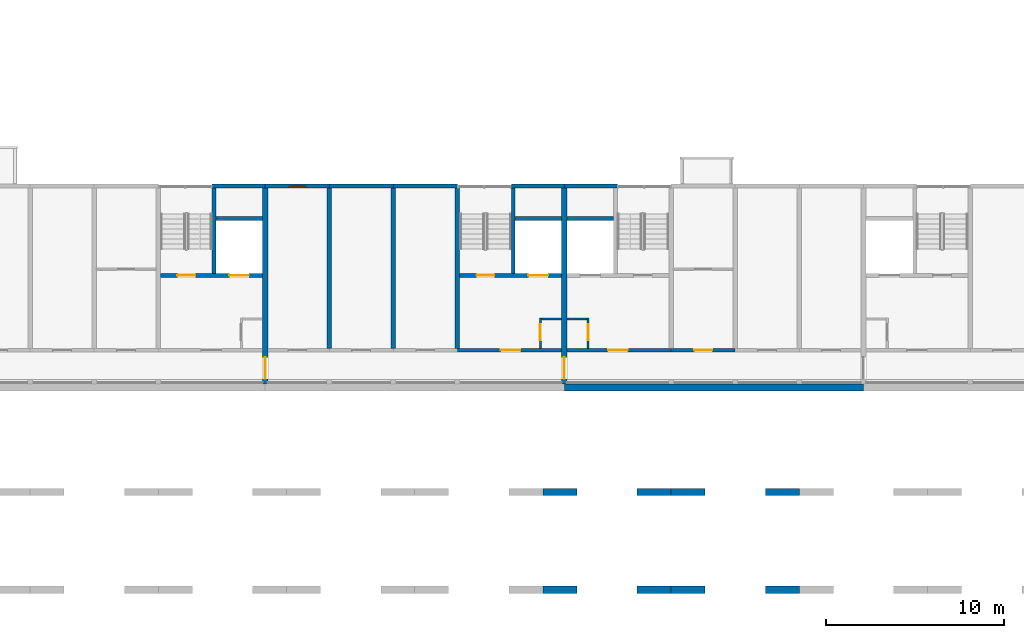
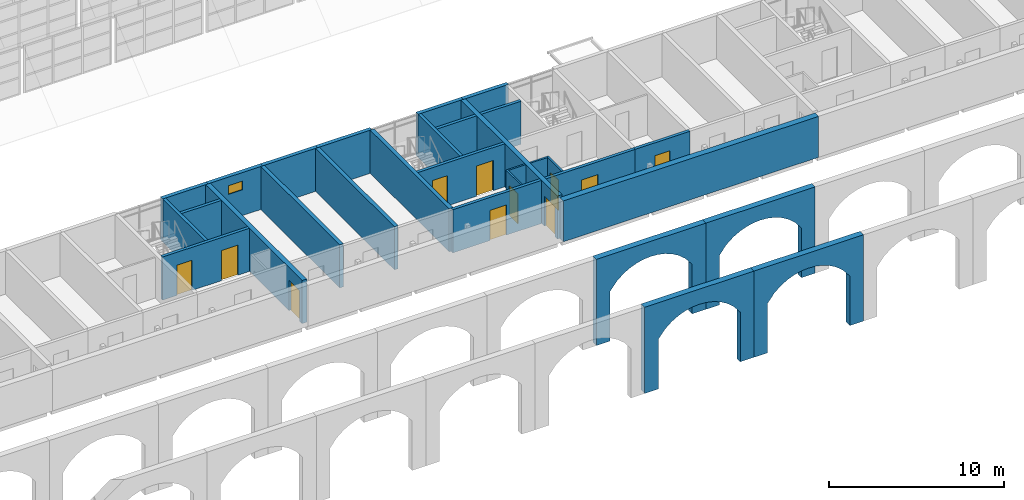
# One storey, part 72 of 122: 30 walls, 11 doors, 1 window, 12 openings.
"""IFC4 building model written with IfcOpenShell, lengths in metres."""

from ifc_helpers import new_model, si_unit, direction, frame, frame_2d, origin, place, context, subcontext, project, spatial, polyline, rectangle, outline, extrude, material, layer, layer_set, type_object, element, fill, save


model = new_model("IFC4")

# Units and contexts
model_context = context("Model", 3, precision=1e-05, world=origin(), true_north=direction((0.0, 1.0)))
body_context = subcontext(model_context, "Body", "Model", "MODEL_VIEW")
ifc_project = project(units=[si_unit("LENGTHUNIT", "METRE"), si_unit("AREAUNIT", "SQUARE_METRE"), si_unit("VOLUMEUNIT", "CUBIC_METRE"), si_unit("PLANEANGLEUNIT", "RADIAN"), si_unit("MASSUNIT", "GRAM", prefix="KILO")], contexts=[model_context])

# Site, building, storey
site_placement = place(None, origin())
site = spatial("IfcSite", under=ifc_project, at=site_placement, CompositionType="ELEMENT")
building_placement = place(site_placement, origin())
building = spatial("IfcBuilding", under=site, at=building_placement, Name="Ridgestep Commons", CompositionType="ELEMENT")
storey_placement = place(building_placement, frame((0.0, 0.0, 3.0)))
storey = spatial("IfcBuildingStorey", under=building, at=storey_placement, Name="L01", CompositionType="ELEMENT", Elevation=3.0)

# Walls
ifc_material_1 = material(Name="Precast concrete C40/50", Category="concrete")
ifc_layer_1 = layer(ifc_material_1, 0.39990234375)
ifc_layer_set_1 = layer_set([ifc_layer_1], Name="Community south arcade inner wall 400")
wall_type_1 = type_object("IfcWallType", Name="Community south arcade inner wall 400", PredefinedType="SOLIDWALL", material=ifc_layer_set_1)
wall_1_placement = place(storey_placement, frame((212.800048828125, 5.5, -3.25), z_axis=(0.0, -1.0, 0.0), x_axis=(1.0, 0.0, 0.0)))
element("IfcWall", 1, at=wall_1_placement, inside=storey, type_object=wall_type_1, Name="South arcade inner wall", PredefinedType="SOLIDWALL", context=body_context, shape_type="SweptSolid", body=[
    extrude(outline(polyline([(0.0, 0.0), (0.89990234375, 0.0), (0.89990234375, 3.449951171875), (1.349853515625, 4.01708984375), (1.800048828125, 4.3916015625), (2.25, 4.649169921875), (2.699951171875, 4.820068359375), (3.14990234375, 4.91796875), (3.599853515625, 4.949951171875), (4.050048828125, 4.91796875), (4.5, 4.820068359375), (4.949951171875, 4.649169921875), (5.39990234375, 4.3916015625), (5.849853515625, 4.01708984375), (6.300048828125, 3.449951171875), (6.300048828125, 0.0), (7.199951171875, 0.0), (7.199951171875, 6.0), (0.0, 6.0), (0.0, 0.0)])), origin(), (0.0, 0.0, -1.0), 0.39990234375),
])
wall_2_placement = place(storey_placement, frame((220.0, 5.5, -3.25), z_axis=(0.0, -1.0, 0.0), x_axis=(1.0, 0.0, 0.0)))
element("IfcWall", 2, at=wall_2_placement, inside=storey, type_object=wall_type_1, Name="South arcade inner wall", PredefinedType="SOLIDWALL", context=body_context, shape_type="SweptSolid", body=[
    extrude(outline(polyline([(0.0, 0.0), (0.89990234375, 0.0), (0.89990234375, 3.449951171875), (1.35009765625, 4.01708984375), (1.800048828125, 4.3916015625), (2.25, 4.649169921875), (2.699951171875, 4.820068359375), (3.14990234375, 4.91796875), (3.60009765625, 4.949951171875), (4.050048828125, 4.91796875), (4.5, 4.820068359375), (4.949951171875, 4.649169921875), (5.39990234375, 4.3916015625), (5.85009765625, 4.01708984375), (6.300048828125, 3.449951171875), (6.300048828125, 0.0), (7.199951171875, 0.0), (7.199951171875, 6.0), (0.0, 6.0), (0.0, 0.0)])), origin(), (0.0, 0.0, -1.0), 0.39990234375),
])
ifc_material_2 = material(Name="Precast concrete C40/50", Category="concrete")
ifc_layer_2 = layer(ifc_material_2, 0.39990234375)
ifc_layer_set_2 = layer_set([ifc_layer_2], Name="Community south arcade wall 400")
wall_type_2 = type_object("IfcWallType", Name="Community south arcade wall 400", PredefinedType="SOLIDWALL", material=ifc_layer_set_2)
wall_3_placement = place(storey_placement, frame((212.800048828125, 0.001953125, -3.25), z_axis=(0.0, -1.0, 0.0), x_axis=(1.0, 0.0, 0.0)))
element("IfcWall", 3, at=wall_3_placement, inside=storey, type_object=wall_type_2, Name="South arcade wall", PredefinedType="SOLIDWALL", context=body_context, shape_type="SweptSolid", body=[
    extrude(outline(polyline([(0.0, 0.0), (0.89990234375, 0.0), (0.89990234375, 3.449951171875), (1.349853515625, 4.01708984375), (1.800048828125, 4.3916015625), (2.25, 4.649169921875), (2.699951171875, 4.820068359375), (3.14990234375, 4.91796875), (3.599853515625, 4.949951171875), (4.050048828125, 4.91796875), (4.5, 4.820068359375), (4.949951171875, 4.649169921875), (5.39990234375, 4.3916015625), (5.849853515625, 4.01708984375), (6.300048828125, 3.449951171875), (6.300048828125, 0.0), (7.199951171875, 0.0), (7.199951171875, 6.0), (0.0, 6.0), (0.0, 0.0)])), origin(), (0.0, 0.0, -1.0), 0.39990234375),
])
wall_4_placement = place(storey_placement, frame((220.0, 0.001953125, -3.25), z_axis=(0.0, -1.0, 0.0), x_axis=(1.0, 0.0, 0.0)))
element("IfcWall", 4, at=wall_4_placement, inside=storey, type_object=wall_type_2, Name="South arcade wall", PredefinedType="SOLIDWALL", context=body_context, shape_type="SweptSolid", body=[
    extrude(outline(polyline([(0.0, 0.0), (0.89990234375, 0.0), (0.89990234375, 3.449951171875), (1.35009765625, 4.01708984375), (1.800048828125, 4.3916015625), (2.25, 4.649169921875), (2.699951171875, 4.820068359375), (3.14990234375, 4.91796875), (3.60009765625, 4.949951171875), (4.050048828125, 4.91796875), (4.5, 4.820068359375), (4.949951171875, 4.649169921875), (5.39990234375, 4.3916015625), (5.85009765625, 4.01708984375), (6.300048828125, 3.449951171875), (6.300048828125, 0.0), (7.199951171875, 0.0), (7.199951171875, 6.0), (0.0, 6.0), (0.0, 0.0)])), origin(), (0.0, 0.0, -1.0), 0.39990234375),
])
ifc_material_3 = material(Name="Concrete C30/37", Category="concrete")
ifc_layer_3 = layer(ifc_material_3, 0.25)
ifc_layer_set_3 = layer_set([ifc_layer_3], Name="Core cross wall 250")
wall_type_3 = type_object("IfcWallType", Name="Core cross wall 250", PredefinedType="SHEAR", material=ifc_layer_set_3)
wall_5_placement = place(storey_placement, frame((208.0, 13.75, 0.0), z_axis=(0.0, 0.0, 1.0), x_axis=(0.0, 1.0, 0.0)))
element("IfcWall", 5, at=wall_5_placement, inside=storey, type_object=wall_type_3, Name="Cross wall D-01-2080", PredefinedType="SHEAR", context=body_context, shape_type="SweptSolid", body=[
    extrude(rectangle(XDim=9.0, YDim=0.25, at=frame_2d((4.5, 0.0))), origin(), (0.0, 0.0, 1.0), 3.0),
])

# Wall, opening, door
ifc_material_4 = material(Name="Concrete C30/37", Category="concrete")
ifc_layer_4 = layer(ifc_material_4, 0.199951171875)
ifc_layer_set_4 = layer_set([ifc_layer_4], Name="Core south wall 200")
wall_type_4 = type_object("IfcWallType", Name="Core south wall 200", PredefinedType="SHEAR", material=ifc_layer_set_4)
wall_6_placement = place(storey_placement, frame((208.0, 13.64990234375, 0.0), z_axis=(0.0, 0.0, 1.0), x_axis=(1.0, 0.0, 0.0)))
wall_6 = element("IfcWall", 6, at=wall_6_placement, inside=storey, type_object=wall_type_4, Name="Core south wall D4C L01", PredefinedType="SHEAR", context=body_context, shape_type="SweptSolid", body=[
    extrude(rectangle(XDim=5.85009765625, YDim=0.199951171875, at=frame_2d((2.925048828125, 0.0))), origin(), (0.0, 0.0, 1.0), 3.0),
])
opening_1_placement = place(wall_6_placement, frame((2.4375, 0.0, 0.0)))
opening_1 = element("IfcOpeningElement", 7, at=opening_1_placement, cuts=wall_6, Name="Opening D4C/01/1", PredefinedType="OPENING", context=body_context, shape_type="SweptSolid", body=[
    extrude(rectangle(XDim=1.10009765625, YDim=2.10009765625, at=frame_2d((0.550048828125, 1.050048828125))), frame((0.0, 0.10986328125, 0.0), z_axis=(0.0, -1.0, 0.0), x_axis=(1.0, 0.0, 0.0)), (0.0, 0.0, 1.0), 0.219970703125),
])
ifc_material_5 = material(Name="Steel fire door", Category="steel")
door_type_1 = type_object("IfcDoorType", Name="Lobby door 1100 x 2100 FD60", OperationType="NOTDEFINED", PredefinedType="DOOR", material=ifc_material_5)
door_1_placement = place(opening_1_placement, origin())
door_1 = element("IfcDoor", 8, at=door_1_placement, inside=storey, type_object=door_type_1, Name="Lobby door D4C/01/1", OperationType="SINGLE_SWING_LEFT", OverallHeight=2.10009765625, OverallWidth=1.10009765625, PredefinedType="DOOR", context=body_context, shape_type="SweptSolid", body=[
    extrude(rectangle(XDim=1.10009765625, YDim=2.10009765625, at=frame_2d((0.550048828125, 1.050048828125))), frame((0.0, 0.02490234375, 0.0), z_axis=(0.0, -1.0, 0.0), x_axis=(1.0, 0.0, 0.0)), (0.0, 0.0, 1.0), 0.050048828125),
])
fill(opening_1, door_1)

wall_7_placement = place(storey_placement, frame((214.14990234375, 13.64990234375, 0.0), z_axis=(0.0, 0.0, 1.0), x_axis=(1.0, 0.0, 0.0)))
wall_7 = element("IfcWall", 9, at=wall_7_placement, inside=storey, type_object=wall_type_4, Name="Core south wall D5C L01", PredefinedType="SHEAR", context=body_context, shape_type="SweptSolid", body=[
    extrude(rectangle(XDim=5.85009765625, YDim=0.199951171875, at=frame_2d((2.925048828125, 0.0))), origin(), (0.0, 0.0, 1.0), 3.0),
])
opening_2_placement = place(wall_7_placement, frame((2.3125, 0.0, 0.0)))
opening_2 = element("IfcOpeningElement", 10, at=opening_2_placement, cuts=wall_7, Name="Opening D5C/01/1", PredefinedType="OPENING", context=body_context, shape_type="SweptSolid", body=[
    extrude(rectangle(XDim=1.10009765625, YDim=2.10009765625, at=frame_2d((0.550048828125, 1.050048828125))), frame((0.0, 0.10986328125, 0.0), z_axis=(0.0, -1.0, 0.0), x_axis=(1.0, 0.0, 0.0)), (0.0, 0.0, 1.0), 0.219970703125),
])
door_2_placement = place(opening_2_placement, origin())
door_2 = element("IfcDoor", 11, at=door_2_placement, inside=storey, type_object=door_type_1, Name="Lobby door D5C/01/1", OperationType="SINGLE_SWING_LEFT", OverallHeight=2.10009765625, OverallWidth=1.10009765625, PredefinedType="DOOR", context=body_context, shape_type="SweptSolid", body=[
    extrude(rectangle(XDim=1.10009765625, YDim=2.10009765625, at=frame_2d((0.550048828125, 1.050048828125))), frame((0.0, 0.02490234375, 0.0), z_axis=(0.0, -1.0, 0.0), x_axis=(1.0, 0.0, 0.0)), (0.0, 0.0, 1.0), 0.050048828125),
])
fill(opening_2, door_2)

ifc_material_6 = material(Name="Concrete C30/37", Category="concrete")
ifc_layer_5 = layer(ifc_material_6, 0.1201171875)
ifc_layer_set_5 = layer_set([ifc_layer_5], Name="Core wall 120")
wall_type_5 = type_object("IfcWallType", Name="Core wall 120", PredefinedType="SHEAR", material=ifc_layer_set_5)
wall_8_placement = place(storey_placement, frame((212.659912109375, 13.75, 0.0), z_axis=(0.0, 0.0, 1.0), x_axis=(0.0, 1.0, 0.0)))
wall_8 = element("IfcWall", 12, at=wall_8_placement, inside=storey, type_object=wall_type_5, Name="Core riser w wall D4C L01", PredefinedType="SHEAR", context=body_context, shape_type="SweptSolid", body=[
    extrude(rectangle(XDim=1.719970703125, YDim=0.1201171875, at=frame_2d((0.85986328125, 0.0))), origin(), (0.0, 0.0, 1.0), 3.0),
])
opening_3_placement = place(wall_8_placement, frame((0.449951171875, 0.0, 0.0)))
opening_3 = element("IfcOpeningElement", 13, at=opening_3_placement, cuts=wall_8, Name="Opening D4C/01/4", PredefinedType="OPENING", context=body_context, shape_type="SweptSolid", body=[
    extrude(rectangle(XDim=0.89990234375, YDim=2.10009765625, at=frame_2d((0.449951171875, 1.050048828125))), frame((0.0, 0.070068359375, 0.0), z_axis=(0.0, -1.0, 0.0), x_axis=(1.0, 0.0, 0.0)), (0.0, 0.0, 1.0), 0.14013671875),
])
ifc_material_7 = material(Name="Steel fire door", Category="steel")
door_type_2 = type_object("IfcDoorType", Name="Riser door 900 x 2100 FD60", OperationType="NOTDEFINED", PredefinedType="DOOR", material=ifc_material_7)
door_3_placement = place(opening_3_placement, origin())
door_3 = element("IfcDoor", 14, at=door_3_placement, inside=storey, type_object=door_type_2, Name="Riser door D4C/01/4", OperationType="SINGLE_SWING_LEFT", OverallHeight=2.10009765625, OverallWidth=0.89990234375, PredefinedType="DOOR", context=body_context, shape_type="SweptSolid", body=[
    extrude(rectangle(XDim=0.89990234375, YDim=2.10009765625, at=frame_2d((0.449951171875, 1.050048828125))), frame((0.0, 0.02490234375, 0.0), z_axis=(0.0, -1.0, 0.0), x_axis=(1.0, 0.0, 0.0)), (0.0, 0.0, 1.0), 0.050048828125),
])
fill(opening_3, door_3)

# Wall
wall_9_placement = place(storey_placement, frame((212.719970703125, 15.409912109375, 0.0), z_axis=(0.0, 0.0, 1.0), x_axis=(1.0, 0.0, 0.0)))
element("IfcWall", 15, at=wall_9_placement, inside=storey, type_object=wall_type_5, Name="Core riser n wall D4C L01", PredefinedType="SHEAR", context=body_context, shape_type="SweptSolid", body=[
    extrude(rectangle(XDim=1.130126953125, YDim=0.1201171875, at=frame_2d((0.56494140625, 0.0))), origin(), (0.0, 0.0, 1.0), 3.0),
])

# Wall, opening, door
wall_10_placement = place(storey_placement, frame((215.340087890625, 13.75, 0.0), z_axis=(0.0, 0.0, 1.0), x_axis=(0.0, 1.0, 0.0)))
wall_10 = element("IfcWall", 16, at=wall_10_placement, inside=storey, type_object=wall_type_5, Name="Core riser w wall D5C L01", PredefinedType="SHEAR", context=body_context, shape_type="SweptSolid", body=[
    extrude(rectangle(XDim=1.719970703125, YDim=0.1201171875, at=frame_2d((0.85986328125, 0.0))), origin(), (0.0, 0.0, 1.0), 3.0),
])
opening_4_placement = place(wall_10_placement, frame((0.449951171875, 0.0, 0.0)))
opening_4 = element("IfcOpeningElement", 17, at=opening_4_placement, cuts=wall_10, Name="Opening D5C/01/4", PredefinedType="OPENING", context=body_context, shape_type="SweptSolid", body=[
    extrude(rectangle(XDim=0.89990234375, YDim=2.10009765625, at=frame_2d((0.449951171875, 1.050048828125))), frame((0.0, 0.070068359375, 0.0), z_axis=(0.0, -1.0, 0.0), x_axis=(1.0, 0.0, 0.0)), (0.0, 0.0, 1.0), 0.14013671875),
])
door_4_placement = place(opening_4_placement, origin())
door_4 = element("IfcDoor", 18, at=door_4_placement, inside=storey, type_object=door_type_2, Name="Riser door D5C/01/4", OperationType="SINGLE_SWING_RIGHT", OverallHeight=2.10009765625, OverallWidth=0.89990234375, PredefinedType="DOOR", context=body_context, shape_type="SweptSolid", body=[
    extrude(rectangle(XDim=0.89990234375, YDim=2.10009765625, at=frame_2d((0.449951171875, 1.050048828125))), frame((0.0, 0.02490234375, 0.0), z_axis=(0.0, -1.0, 0.0), x_axis=(1.0, 0.0, 0.0)), (0.0, 0.0, 1.0), 0.050048828125),
])
fill(opening_4, door_4)

# Wall
wall_11_placement = place(storey_placement, frame((214.14990234375, 15.409912109375, 0.0), z_axis=(0.0, 0.0, 1.0), x_axis=(1.0, 0.0, 0.0)))
element("IfcWall", 19, at=wall_11_placement, inside=storey, type_object=wall_type_5, Name="Core riser n wall D5C L01", PredefinedType="SHEAR", context=body_context, shape_type="SweptSolid", body=[
    extrude(rectangle(XDim=1.130126953125, YDim=0.1201171875, at=frame_2d((0.56494140625, 0.0))), origin(), (0.0, 0.0, 1.0), 3.0),
])

# Wall, openings, doors
ifc_material_8 = material(Name="Concrete C30/37", Category="concrete")
ifc_layer_6 = layer(ifc_material_8, 0.199951171875)
ifc_layer_set_6 = layer_set([ifc_layer_6], Name="Core wall 200")
wall_type_6 = type_object("IfcWallType", Name="Core wall 200", PredefinedType="SHEAR", material=ifc_layer_set_6)
wall_12_placement = place(storey_placement, frame((191.324951171875, 17.85009765625, 0.0), z_axis=(0.0, 0.0, 1.0), x_axis=(1.0, 0.0, 0.0)))
wall_12 = element("IfcWall", 20, at=wall_12_placement, inside=storey, type_object=wall_type_6, Name="Core lobby wall D3C L01", PredefinedType="SHEAR", context=body_context, shape_type="SweptSolid", body=[
    extrude(rectangle(XDim=5.72509765625, YDim=0.199951171875, at=frame_2d((2.862548828125, 0.0))), origin(), (0.0, 0.0, 1.0), 3.0),
])
opening_5_placement = place(wall_12_placement, frame((0.949951171875, 0.0, 0.0)))
opening_5 = element("IfcOpeningElement", 21, at=opening_5_placement, cuts=wall_12, Name="Opening D3C/01/2", PredefinedType="OPENING", context=body_context, shape_type="SweptSolid", body=[
    extrude(rectangle(XDim=1.0, YDim=2.10009765625, at=frame_2d((0.5, 1.050048828125))), frame((0.0, 0.10986328125, 0.0), z_axis=(0.0, -1.0, 0.0), x_axis=(1.0, 0.0, 0.0)), (0.0, 0.0, 1.0), 0.219970703125),
])
opening_6_placement = place(wall_12_placement, frame((3.862548828125, 0.0, 0.0)))
opening_6 = element("IfcOpeningElement", 22, at=opening_6_placement, cuts=wall_12, Name="Opening D3C/01/3", PredefinedType="OPENING", context=body_context, shape_type="SweptSolid", body=[
    extrude(rectangle(XDim=1.10009765625, YDim=2.10009765625, at=frame_2d((0.550048828125, 1.050048828125))), frame((0.0, 0.10986328125, 0.0), z_axis=(0.0, -1.0, 0.0), x_axis=(1.0, 0.0, 0.0)), (0.0, 0.0, 1.0), 0.219970703125),
])
ifc_material_9 = material(Name="Stainless steel", Category="steel")
door_type_3 = type_object("IfcDoorType", Name="Lift landing door 1100 x 2100 FD60", OperationType="DOUBLE_DOOR_SLIDING", PredefinedType="DOOR", material=ifc_material_9)
door_5_placement = place(opening_6_placement, origin())
door_5 = element("IfcDoor", 23, at=door_5_placement, inside=storey, type_object=door_type_3, Name="Landing door LD D3C L01", OperationType="DOUBLE_DOOR_SLIDING", OverallHeight=2.10009765625, OverallWidth=1.10009765625, PredefinedType="DOOR", context=body_context, shape_type="SweptSolid", body=[
    extrude(rectangle(XDim=1.10009765625, YDim=2.10009765625, at=frame_2d((0.550048828125, 1.050048828125))), frame((0.0, 0.02490234375, 0.0), z_axis=(0.0, -1.0, 0.0), x_axis=(1.0, 0.0, 0.0)), (0.0, 0.0, 1.0), 0.050048828125),
])
fill(opening_6, door_5)
ifc_material_10 = material(Name="Steel fire door", Category="steel")
door_type_4 = type_object("IfcDoorType", Name="Stair door 1000 x 2100 FD60", OperationType="NOTDEFINED", PredefinedType="DOOR", material=ifc_material_10)
door_6_placement = place(opening_5_placement, origin())
door_6 = element("IfcDoor", 24, at=door_6_placement, inside=storey, type_object=door_type_4, Name="Stair door D3C/01/2", OperationType="SINGLE_SWING_RIGHT", OverallHeight=2.10009765625, OverallWidth=1.0, PredefinedType="DOOR", context=body_context, shape_type="SweptSolid", body=[
    extrude(rectangle(XDim=1.0, YDim=2.10009765625, at=frame_2d((0.5, 1.050048828125))), frame((0.0, 0.02490234375, 0.0), z_axis=(0.0, -1.0, 0.0), x_axis=(1.0, 0.0, 0.0)), (0.0, 0.0, 1.0), 0.050048828125),
])
fill(opening_5, door_6)

# Walls
wall_13_placement = place(storey_placement, frame((194.324951171875, 17.949951171875, 0.0), z_axis=(0.0, 0.0, 1.0), x_axis=(0.0, 1.0, 0.0)))
element("IfcWall", 25, at=wall_13_placement, inside=storey, type_object=wall_type_6, Name="Core stair wall D3C L01", PredefinedType="SHEAR", context=body_context, shape_type="SweptSolid", body=[
    extrude(rectangle(XDim=4.800048828125, YDim=0.199951171875, at=frame_2d((2.39990234375, 0.0))), origin(), (0.0, 0.0, 1.0), 3.0),
])
wall_14_placement = place(storey_placement, frame((194.425048828125, 21.050048828125, 0.0), z_axis=(0.0, 0.0, 1.0), x_axis=(1.0, 0.0, 0.0)))
element("IfcWall", 26, at=wall_14_placement, inside=storey, type_object=wall_type_6, Name="Core duct wall D3C L01", PredefinedType="SHEAR", context=body_context, shape_type="SweptSolid", body=[
    extrude(rectangle(XDim=2.625, YDim=0.199951171875, at=frame_2d((1.3125, 0.0))), origin(), (0.0, 0.0, 1.0), 3.0),
])

# Wall, openings, doors
wall_15_placement = place(storey_placement, frame((208.125, 17.85009765625, 0.0), z_axis=(0.0, 0.0, 1.0), x_axis=(1.0, 0.0, 0.0)))
wall_15 = element("IfcWall", 27, at=wall_15_placement, inside=storey, type_object=wall_type_6, Name="Core lobby wall D4C L01", PredefinedType="SHEAR", context=body_context, shape_type="SweptSolid", body=[
    extrude(rectangle(XDim=5.72509765625, YDim=0.199951171875, at=frame_2d((2.862548828125, 0.0))), origin(), (0.0, 0.0, 1.0), 3.0),
])
opening_7_placement = place(wall_15_placement, frame((0.949951171875, 0.0, 0.0)))
opening_7 = element("IfcOpeningElement", 28, at=opening_7_placement, cuts=wall_15, Name="Opening D4C/01/2", PredefinedType="OPENING", context=body_context, shape_type="SweptSolid", body=[
    extrude(rectangle(XDim=1.0, YDim=2.10009765625, at=frame_2d((0.5, 1.050048828125))), frame((0.0, 0.10986328125, 0.0), z_axis=(0.0, -1.0, 0.0), x_axis=(1.0, 0.0, 0.0)), (0.0, 0.0, 1.0), 0.219970703125),
])
opening_8_placement = place(wall_15_placement, frame((3.862548828125, 0.0, 0.0)))
opening_8 = element("IfcOpeningElement", 29, at=opening_8_placement, cuts=wall_15, Name="Opening D4C/01/3", PredefinedType="OPENING", context=body_context, shape_type="SweptSolid", body=[
    extrude(rectangle(XDim=1.10009765625, YDim=2.10009765625, at=frame_2d((0.550048828125, 1.050048828125))), frame((0.0, 0.10986328125, 0.0), z_axis=(0.0, -1.0, 0.0), x_axis=(1.0, 0.0, 0.0)), (0.0, 0.0, 1.0), 0.219970703125),
])
door_7_placement = place(opening_8_placement, origin())
door_7 = element("IfcDoor", 30, at=door_7_placement, inside=storey, type_object=door_type_3, Name="Landing door LD D4C L01", OperationType="DOUBLE_DOOR_SLIDING", OverallHeight=2.10009765625, OverallWidth=1.10009765625, PredefinedType="DOOR", context=body_context, shape_type="SweptSolid", body=[
    extrude(rectangle(XDim=1.10009765625, YDim=2.10009765625, at=frame_2d((0.550048828125, 1.050048828125))), frame((0.0, 0.02490234375, 0.0), z_axis=(0.0, -1.0, 0.0), x_axis=(1.0, 0.0, 0.0)), (0.0, 0.0, 1.0), 0.050048828125),
])
fill(opening_8, door_7)
door_8_placement = place(opening_7_placement, origin())
door_8 = element("IfcDoor", 31, at=door_8_placement, inside=storey, type_object=door_type_4, Name="Stair door D4C/01/2", OperationType="SINGLE_SWING_RIGHT", OverallHeight=2.10009765625, OverallWidth=1.0, PredefinedType="DOOR", context=body_context, shape_type="SweptSolid", body=[
    extrude(rectangle(XDim=1.0, YDim=2.10009765625, at=frame_2d((0.5, 1.050048828125))), frame((0.0, 0.02490234375, 0.0), z_axis=(0.0, -1.0, 0.0), x_axis=(1.0, 0.0, 0.0)), (0.0, 0.0, 1.0), 0.050048828125),
])
fill(opening_7, door_8)

# Walls
wall_16_placement = place(storey_placement, frame((211.125, 17.949951171875, 0.0), z_axis=(0.0, 0.0, 1.0), x_axis=(0.0, 1.0, 0.0)))
element("IfcWall", 32, at=wall_16_placement, inside=storey, type_object=wall_type_6, Name="Core stair wall D4C L01", PredefinedType="SHEAR", context=body_context, shape_type="SweptSolid", body=[
    extrude(rectangle(XDim=4.800048828125, YDim=0.199951171875, at=frame_2d((2.39990234375, 0.0))), origin(), (0.0, 0.0, 1.0), 3.0),
])
for number, where, z_axis, x_axis, name in (
    (33, (211.22509765625, 21.050048828125, 0.0), (0.0, 0.0, 1.0), (1.0, 0.0, 0.0), "Core duct wall D4C L01"),
    (34, (214.14990234375, 21.050048828125, 0.0), (0.0, 0.0, 1.0), (1.0, 0.0, 0.0), "Core duct wall D5C L01"),
):
    element("IfcWall", number, at=place(storey_placement, frame(where, z_axis=z_axis, x_axis=x_axis)), inside=storey, type_object=wall_type_6, Name=name, PredefinedType="SHEAR", context=body_context, shape_type="SweptSolid", body=[
        extrude(rectangle(XDim=2.625, YDim=0.199951171875, at=frame_2d((1.3125, 0.0))), origin(), (0.0, 0.0, 1.0), 3.0),
    ])
ifc_material_11 = material(Name="Precast concrete C40/50", Category="concrete")
ifc_layer_7 = layer(ifc_material_11, 0.25)
ifc_layer_set_7 = layer_set([ifc_layer_7], Name="Cross wall 250")
wall_type_7 = type_object("IfcWallType", Name="Cross wall 250", PredefinedType="SHEAR", material=ifc_layer_set_7)
for number, where, z_axis, x_axis, name in (
    (35, (200.800048828125, 13.75, 0.0), (0.0, 0.0, 1.0), (0.0, 1.0, 0.0), "Cross wall D-01-2008"),
    (36, (204.39990234375, 13.75, 0.0), (0.0, 0.0, 1.0), (0.0, 1.0, 0.0), "Cross wall D-01-2044"),
):
    element("IfcWall", number, at=place(storey_placement, frame(where, z_axis=z_axis, x_axis=x_axis)), inside=storey, type_object=wall_type_7, Name=name, PredefinedType="SHEAR", context=body_context, shape_type="SweptSolid", body=[
        extrude(rectangle(XDim=9.0, YDim=0.25, at=frame_2d((4.5, 0.0))), origin(), (0.0, 0.0, 1.0), 3.0),
    ])

# Wall, opening, door
ifc_material_12 = material(Name="Precast concrete C40/50", Category="concrete")
ifc_layer_8 = layer(ifc_material_12, 0.300048828125)
ifc_layer_set_8 = layer_set([ifc_layer_8], Name="Division wall 300")
wall_type_8 = type_object("IfcWallType", Name="Division wall 300", PredefinedType="SHEAR", material=ifc_layer_set_8)
wall_17_placement = place(storey_placement, frame((197.199951171875, 11.75, 0.0), z_axis=(0.0, 0.0, 1.0), x_axis=(0.0, 1.0, 0.0)))
wall_17 = element("IfcWall", 37, at=wall_17_placement, inside=storey, type_object=wall_type_8, Name="Cross wall D-01-1972", PredefinedType="SHEAR", context=body_context, shape_type="SweptSolid", body=[
    extrude(rectangle(XDim=11.0, YDim=0.300048828125, at=frame_2d((5.5, 0.0))), origin(), (0.0, 0.0, 1.0), 3.0),
])
opening_9_placement = place(wall_17_placement, frame((0.300048828125, 0.0, 0.0)))
opening_9 = element("IfcOpeningElement", 38, at=opening_9_placement, cuts=wall_17, Name="Opening D/01/G1972", PredefinedType="OPENING", context=body_context, shape_type="SweptSolid", body=[
    extrude(rectangle(XDim=1.199951171875, YDim=2.10009765625, at=frame_2d((0.60009765625, 1.050048828125))), frame((0.0, 0.159912109375, 0.0), z_axis=(0.0, -1.0, 0.0), x_axis=(1.0, 0.0, 0.0)), (0.0, 0.0, 1.0), 0.320068359375),
])
ifc_material_13 = material(Name="Steel fire door", Category="steel")
door_type_5 = type_object("IfcDoorType", Name="Division fire door 1200 x 2100 EI 240", OperationType="DOUBLE_DOOR_SINGLE_SWING", PredefinedType="DOOR", material=ifc_material_13)
door_9_placement = place(opening_9_placement, origin())
door_9 = element("IfcDoor", 39, at=door_9_placement, inside=storey, type_object=door_type_5, Name="Division fire door D/01/G1972", OperationType="DOUBLE_DOOR_SINGLE_SWING", OverallHeight=2.10009765625, OverallWidth=1.199951171875, PredefinedType="DOOR", context=body_context, shape_type="SweptSolid", body=[
    extrude(rectangle(XDim=1.199951171875, YDim=2.10009765625, at=frame_2d((0.60009765625, 1.050048828125))), frame((0.0, 0.02490234375, 0.0), z_axis=(0.0, -1.0, 0.0), x_axis=(1.0, 0.0, 0.0)), (0.0, 0.0, 1.0), 0.050048828125),
])
fill(opening_9, door_9)

wall_18_placement = place(storey_placement, frame((214.0, 11.75, 0.0), z_axis=(0.0, 0.0, 1.0), x_axis=(0.0, 1.0, 0.0)))
wall_18 = element("IfcWall", 40, at=wall_18_placement, inside=storey, type_object=wall_type_8, Name="Cross wall D-01-2140", PredefinedType="SHEAR", context=body_context, shape_type="SweptSolid", body=[
    extrude(rectangle(XDim=11.0, YDim=0.300048828125, at=frame_2d((5.5, 0.0))), origin(), (0.0, 0.0, 1.0), 3.0),
])
opening_10_placement = place(wall_18_placement, frame((0.300048828125, 0.0, 0.0)))
opening_10 = element("IfcOpeningElement", 41, at=opening_10_placement, cuts=wall_18, Name="Opening D/01/G2140", PredefinedType="OPENING", context=body_context, shape_type="SweptSolid", body=[
    extrude(rectangle(XDim=1.199951171875, YDim=2.10009765625, at=frame_2d((0.60009765625, 1.050048828125))), frame((0.0, 0.159912109375, 0.0), z_axis=(0.0, -1.0, 0.0), x_axis=(1.0, 0.0, 0.0)), (0.0, 0.0, 1.0), 0.320068359375),
])
door_10_placement = place(opening_10_placement, origin())
door_10 = element("IfcDoor", 42, at=door_10_placement, inside=storey, type_object=door_type_5, Name="Division fire door D/01/G2140", OperationType="DOUBLE_DOOR_SINGLE_SWING", OverallHeight=2.10009765625, OverallWidth=1.199951171875, PredefinedType="DOOR", context=body_context, shape_type="SweptSolid", body=[
    extrude(rectangle(XDim=1.199951171875, YDim=2.10009765625, at=frame_2d((0.60009765625, 1.050048828125))), frame((0.0, 0.02490234375, 0.0), z_axis=(0.0, -1.0, 0.0), x_axis=(1.0, 0.0, 0.0)), (0.0, 0.0, 1.0), 0.050048828125),
])
fill(opening_10, door_10)

# Wall
ifc_material_14 = material(Name="Precast concrete C40/50", Category="concrete")
ifc_layer_9 = layer(ifc_material_14, 0.25)
ifc_layer_set_9 = layer_set([ifc_layer_9], Name="North facade panel 250")
wall_type_9 = type_object("IfcWallType", Name="North facade panel 250", PredefinedType="SOLIDWALL", material=ifc_layer_set_9)
wall_19_placement = place(storey_placement, frame((194.22509765625, 22.875, 0.0), z_axis=(0.0, 0.0, 1.0), x_axis=(1.0, 0.0, 0.0)))
element("IfcWall", 43, at=wall_19_placement, inside=storey, type_object=wall_type_9, Name="North panel D3C L01", PredefinedType="SOLIDWALL", context=body_context, shape_type="SweptSolid", body=[
    extrude(rectangle(XDim=2.974853515625, YDim=0.25, at=frame_2d((1.4873046875, 0.0))), origin(), (0.0, 0.0, 1.0), 3.0),
])

# Wall, opening, window
wall_20_placement = place(storey_placement, frame((197.199951171875, 22.875, 0.0), z_axis=(0.0, 0.0, 1.0), x_axis=(1.0, 0.0, 0.0)))
wall_20 = element("IfcWall", 44, at=wall_20_placement, inside=storey, type_object=wall_type_9, Name="North panel D4T1 L01", PredefinedType="SOLIDWALL", context=body_context, shape_type="SweptSolid", body=[
    extrude(rectangle(XDim=3.60009765625, YDim=0.25, at=frame_2d((1.800048828125, 0.0))), origin(), (0.0, 0.0, 1.0), 3.0),
])
opening_11_placement = place(wall_20_placement, frame((1.362548828125, 0.0, 1.800048828125)))
opening_11 = element("IfcOpeningElement", 45, at=opening_11_placement, cuts=wall_20, Name="Opening W02", PredefinedType="OPENING", context=body_context, shape_type="SweptSolid", body=[
    extrude(rectangle(XDim=0.89990234375, YDim=0.60009765625, at=frame_2d((0.449951171875, 0.300048828125))), frame((0.0, 0.135009765625, 0.0), z_axis=(0.0, -1.0, 0.0), x_axis=(1.0, 0.0, 0.0)), (0.0, 0.0, 1.0), 0.27001953125),
])
ifc_material_15 = material(Name="Aluminium 6063-T6 and glass", Category="aluminium")
window_type = type_object("IfcWindowType", Name="Flat window 900 x 600", PartitioningType="SINGLE_PANEL", PredefinedType="WINDOW", material=ifc_material_15)
window_placement = place(opening_11_placement, origin())
window = element("IfcWindow", 46, at=window_placement, inside=storey, type_object=window_type, Name="Window D4-01p 2", OverallHeight=0.60009765625, OverallWidth=0.89990234375, PartitioningType="SINGLE_PANEL", PredefinedType="WINDOW", context=body_context, shape_type="SweptSolid", body=[
    extrude(rectangle(XDim=0.89990234375, YDim=0.60009765625, at=frame_2d((0.449951171875, 0.300048828125))), frame((0.0, -0.02490234375, 0.0), z_axis=(0.0, -1.0, 0.0), x_axis=(1.0, 0.0, 0.0)), (0.0, 0.0, 1.0), 0.06005859375),
])
fill(opening_11, window)

# Walls
wall_21_placement = place(storey_placement, frame((200.800048828125, 22.875, 0.0), z_axis=(0.0, 0.0, 1.0), x_axis=(1.0, 0.0, 0.0)))
element("IfcWall", 47, at=wall_21_placement, inside=storey, type_object=wall_type_9, Name="North panel D4T2 L01", PredefinedType="SOLIDWALL", context=body_context, shape_type="SweptSolid", body=[
    extrude(rectangle(XDim=3.599853515625, YDim=0.25, at=frame_2d((1.7998046875, 0.0))), origin(), (0.0, 0.0, 1.0), 3.0),
])
wall_22_placement = place(storey_placement, frame((204.39990234375, 22.875, 0.0), z_axis=(0.0, 0.0, 1.0), x_axis=(1.0, 0.0, 0.0)))
element("IfcWall", 48, at=wall_22_placement, inside=storey, type_object=wall_type_9, Name="North panel D4T3 L01", PredefinedType="SOLIDWALL", context=body_context, shape_type="SweptSolid", body=[
    extrude(rectangle(XDim=3.60009765625, YDim=0.25, at=frame_2d((1.800048828125, 0.0))), origin(), (0.0, 0.0, 1.0), 3.0),
])
for number, where, z_axis, x_axis, name in (
    (49, (211.02490234375, 22.875, 0.0), (0.0, 0.0, 1.0), (1.0, 0.0, 0.0), "North panel D4C L01"),
    (50, (214.0, 22.875, 0.0), (0.0, 0.0, 1.0), (1.0, 0.0, 0.0), "North panel D5C L01"),
):
    element("IfcWall", number, at=place(storey_placement, frame(where, z_axis=z_axis, x_axis=x_axis)), inside=storey, type_object=wall_type_9, Name=name, PredefinedType="SOLIDWALL", context=body_context, shape_type="SweptSolid", body=[
        extrude(rectangle(XDim=2.97509765625, YDim=0.25, at=frame_2d((1.487548828125, 0.0))), origin(), (0.0, 0.0, 1.0), 3.0),
    ])
ifc_material_16 = material(Name="Concrete C30/37", Category="concrete")
ifc_layer_10 = layer(ifc_material_16, 0.39990234375)
ifc_layer_set_10 = layer_set([ifc_layer_10], Name="Plinth retaining wall 400")
wall_type_10 = type_object("IfcWallType", Name="Plinth retaining wall 400", PredefinedType="SOLIDWALL", material=ifc_layer_set_10)
wall_23_placement = place(storey_placement, frame((214.0, 11.550048828125, 0.0), z_axis=(0.0, 0.0, 1.0), x_axis=(1.0, 0.0, 0.0)))
element("IfcWall", 51, at=wall_23_placement, inside=storey, type_object=wall_type_10, Name="Plinth retaining wall D5 L01", PredefinedType="SOLIDWALL", context=body_context, shape_type="SweptSolid", body=[
    extrude(rectangle(XDim=16.800048828125, YDim=0.39990234375, at=frame_2d((8.39990234375, 0.0))), origin(), (0.0, 0.0, 1.0), 2.85009765625),
])

# Wall, opening, door
ifc_material_17 = material(Name="Precast concrete C40/50", Category="concrete")
ifc_layer_11 = layer(ifc_material_17, 0.199951171875)
ifc_layer_set_11 = layer_set([ifc_layer_11], Name="South facade panel 200")
wall_type_11 = type_object("IfcWallType", Name="South facade panel 200", PredefinedType="SOLIDWALL", material=ifc_layer_set_11)
wall_24_placement = place(storey_placement, frame((220.0, 13.64990234375, 0.0), z_axis=(0.0, 0.0, 1.0), x_axis=(1.0, 0.0, 0.0)))
wall_24 = element("IfcWall", 52, at=wall_24_placement, inside=storey, type_object=wall_type_11, Name="South panel D5T3 L01", PredefinedType="SOLIDWALL", context=body_context, shape_type="SweptSolid", body=[
    extrude(rectangle(XDim=3.60009765625, YDim=0.199951171875, at=frame_2d((1.800048828125, 0.0))), origin(), (0.0, 0.0, 1.0), 3.0),
])
opening_12_placement = place(wall_24_placement, frame((1.300048828125, 0.0, 0.0)))
opening_12 = element("IfcOpeningElement", 53, at=opening_12_placement, cuts=wall_24, Name="Opening D5-01p/1", PredefinedType="OPENING", context=body_context, shape_type="SweptSolid", body=[
    extrude(rectangle(XDim=1.0, YDim=2.10009765625, at=frame_2d((0.5, 1.050048828125))), frame((0.0, 0.10986328125, 0.0), z_axis=(0.0, -1.0, 0.0), x_axis=(1.0, 0.0, 0.0)), (0.0, 0.0, 1.0), 0.219970703125),
])
ifc_material_18 = material(Name="Steel door leaf", Category="steel")
door_type_6 = type_object("IfcDoorType", Name="Store door 1000 x 2100", OperationType="NOTDEFINED", PredefinedType="DOOR", material=ifc_material_18)
door_11_placement = place(opening_12_placement, origin())
door_11 = element("IfcDoor", 54, at=door_11_placement, inside=storey, type_object=door_type_6, Name="Store door D5-01p/1", OperationType="SINGLE_SWING_RIGHT", OverallHeight=2.10009765625, OverallWidth=1.0, PredefinedType="DOOR", context=body_context, shape_type="SweptSolid", body=[
    extrude(rectangle(XDim=1.0, YDim=2.10009765625, at=frame_2d((0.5, 1.050048828125))), frame((0.0, 0.02490234375, 0.0), z_axis=(0.0, -1.0, 0.0), x_axis=(1.0, 0.0, 0.0)), (0.0, 0.0, 1.0), 0.050048828125),
])
fill(opening_12, door_11)

save(model, "model.ifc")
